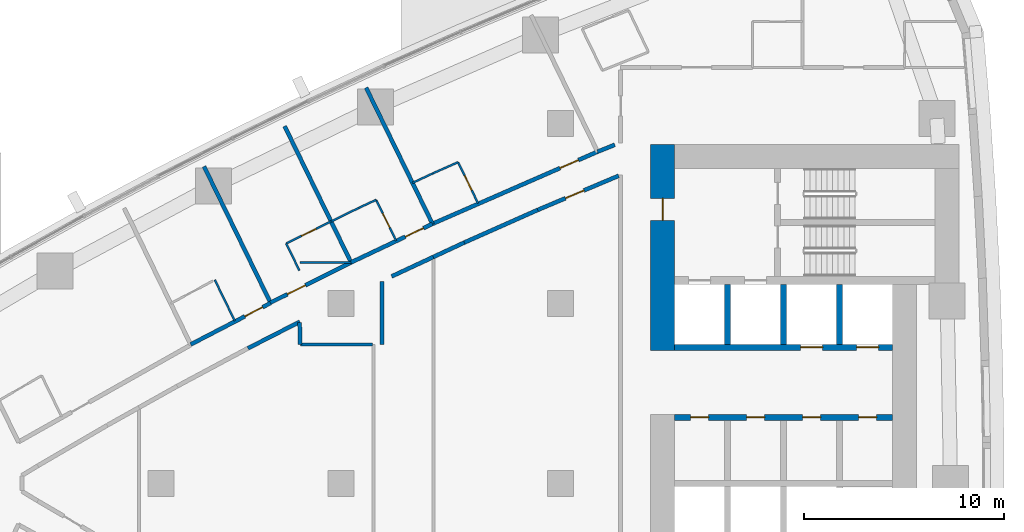
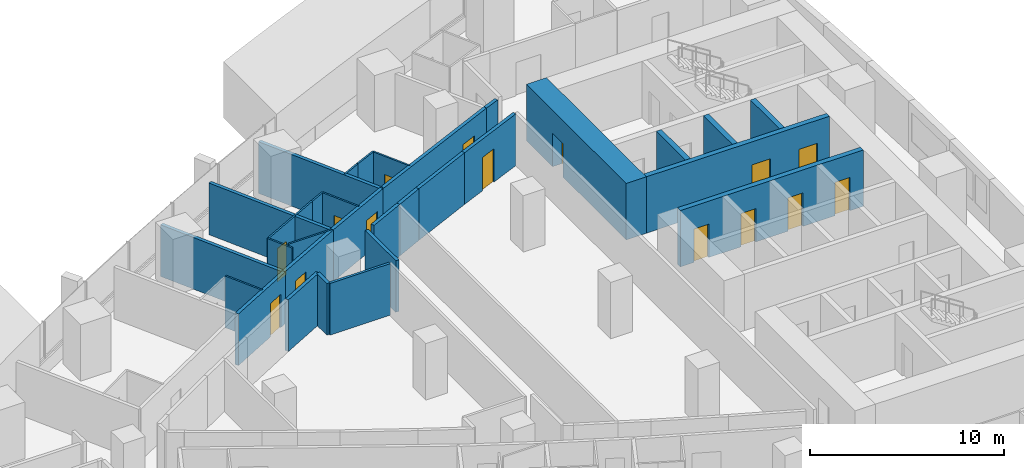
# One storey, part 12 of 19: 32 walls, 15 doors, 15 openings.
"""IFC4 building model written with IfcOpenShell, lengths in metres."""

from ifc_helpers import new_model, si_unit, direction, frame, frame_2d, origin, place, context, subcontext, project, spatial, rectangle, extrude, material, layer, layer_set, type_object, element, fill, save


model = new_model("IFC4")

# Units and contexts
model_context = context("Model", 3, precision=1e-05, world=origin(), true_north=direction((0.0, 1.0)))
body_context = subcontext(model_context, "Body", "Model", "MODEL_VIEW")
ifc_project = project(units=[si_unit("LENGTHUNIT", "METRE"), si_unit("AREAUNIT", "SQUARE_METRE"), si_unit("VOLUMEUNIT", "CUBIC_METRE"), si_unit("PLANEANGLEUNIT", "RADIAN"), si_unit("MASSUNIT", "GRAM", prefix="KILO")], contexts=[model_context])

# Site, building, storey
site_placement = place(None, origin())
site = spatial("IfcSite", under=ifc_project, at=site_placement, CompositionType="ELEMENT")
building_placement = place(site_placement, origin())
building = spatial("IfcBuilding", under=site, at=building_placement, Name="Ostrand Prow Hotel Tower", CompositionType="ELEMENT")
storey_placement = place(building_placement, frame((0.0, 0.0, 39.60009765625)))
storey = spatial("IfcBuildingStorey", under=building, at=storey_placement, Name="L07", CompositionType="ELEMENT", Elevation=39.60009765625)

# Wall, opening, door
ifc_material_1 = material(Name="Concrete C80/95", Category="concrete")
ifc_layer_1 = layer(ifc_material_1, 1.199951171875)
ifc_layer_set_1 = layer_set([ifc_layer_1], Name="Concrete C80/95")
wall_type_1 = type_object("IfcWallType", Name="Core wall 1200 C80/95", PredefinedType="SHEAR", material=ifc_layer_set_1)
wall_1_placement = place(storey_placement, frame((50.10009765625, 6.64990234375, 0.0), z_axis=(0.0, 0.0, 1.0), x_axis=(0.0, 1.0, 0.0)))
wall_1 = element("IfcWall", 1, at=wall_1_placement, inside=storey, type_object=wall_type_1, Name="Core wall CW-W-N", PredefinedType="SHEAR", context=body_context, shape_type="SweptSolid", body=[
    extrude(rectangle(XDim=10.300048828125, YDim=1.199951171875, at=frame_2d((5.14990234375, 0.0))), origin(), (0.0, 0.0, 1.0), 3.5498046875),
])
opening_1_placement = place(wall_1_placement, frame((6.5, 0.0, 0.0)))
opening_1 = element("IfcOpeningElement", 2, at=opening_1_placement, cuts=wall_1, Name="Opening FD1", PredefinedType="OPENING", context=body_context, shape_type="SweptSolid", body=[
    extrude(rectangle(XDim=1.10009765625, YDim=2.10009765625, at=frame_2d((0.550048828125, 1.050048828125))), frame((0.0, 0.60986328125, 0.0), z_axis=(0.0, -1.0, 0.0), x_axis=(1.0, 0.0, 0.0)), (0.0, 0.0, 1.0), 1.219970703125),
])
ifc_material_2 = material(Name="Steel fire door", Category="steel")
door_type_1 = type_object("IfcDoorType", Name="Fire door 1100 EI120", OperationType="SINGLE_SWING_RIGHT", PredefinedType="DOOR", material=ifc_material_2)
door_1_placement = place(opening_1_placement, origin())
door_1 = element("IfcDoor", 3, at=door_1_placement, inside=storey, type_object=door_type_1, Name="FIRE DOOR", OperationType="SINGLE_SWING_RIGHT", OverallHeight=2.10009765625, OverallWidth=1.10009765625, PredefinedType="DOOR", context=body_context, shape_type="SweptSolid", body=[
    extrude(rectangle(XDim=1.10009765625, YDim=2.10009765625, at=frame_2d((0.550048828125, 1.050048828125))), frame((0.0, 0.02490234375, 0.0), z_axis=(0.0, -1.0, 0.0), x_axis=(1.0, 0.0, 0.0)), (0.0, 0.0, 1.0), 0.050048828125),
])
fill(opening_1, door_1)

# Wall, openings, doors
ifc_material_3 = material(Name="Concrete C80/95", Category="concrete")
ifc_layer_2 = layer(ifc_material_3, 0.300048828125)
ifc_layer_set_2 = layer_set([ifc_layer_2], Name="Concrete C80/95")
wall_type_2 = type_object("IfcWallType", Name="Core wall 300 C80/95", PredefinedType="SHEAR", material=ifc_layer_set_2)
wall_2_placement = place(storey_placement, frame((50.699951171875, 3.300048828125, 0.0), z_axis=(0.0, 0.0, 1.0), x_axis=(1.0, 0.0, 0.0)))
wall_2 = element("IfcWall", 4, at=wall_2_placement, inside=storey, type_object=wall_type_2, Name="Core wall PW-L1-N", PredefinedType="SHEAR", context=body_context, shape_type="SweptSolid", body=[
    extrude(rectangle(XDim=10.900146484375, YDim=0.300048828125, at=frame_2d((5.4501953125, 0.0))), origin(), (0.0, 0.0, 1.0), 3.5498046875),
])
opening_2_placement = place(wall_2_placement, frame((0.800048828125, 0.0, 0.0)))
opening_2 = element("IfcOpeningElement", 5, at=opening_2_placement, cuts=wall_2, Name="Opening FD2", PredefinedType="OPENING", context=body_context, shape_type="SweptSolid", body=[
    extrude(rectangle(XDim=0.89990234375, YDim=2.10009765625, at=frame_2d((0.449951171875, 1.050048828125))), frame((0.0, 0.159912109375, 0.0), z_axis=(0.0, -1.0, 0.0), x_axis=(1.0, 0.0, 0.0)), (0.0, 0.0, 1.0), 0.320068359375),
])
opening_3_placement = place(wall_2_placement, frame((3.60009765625, 0.0, 0.0)))
opening_3 = element("IfcOpeningElement", 6, at=opening_3_placement, cuts=wall_2, Name="Opening FD2", PredefinedType="OPENING", context=body_context, shape_type="SweptSolid", body=[
    extrude(rectangle(XDim=0.89990234375, YDim=2.10009765625, at=frame_2d((0.449951171875, 1.050048828125))), frame((0.0, 0.159912109375, 0.0), z_axis=(0.0, -1.0, 0.0), x_axis=(1.0, 0.0, 0.0)), (0.0, 0.0, 1.0), 0.320068359375),
])
opening_4_placement = place(wall_2_placement, frame((6.39990234375, 0.0, 0.0)))
opening_4 = element("IfcOpeningElement", 7, at=opening_4_placement, cuts=wall_2, Name="Opening FD2", PredefinedType="OPENING", context=body_context, shape_type="SweptSolid", body=[
    extrude(rectangle(XDim=0.89990234375, YDim=2.10009765625, at=frame_2d((0.449951171875, 1.050048828125))), frame((0.0, 0.159912109375, 0.0), z_axis=(0.0, -1.0, 0.0), x_axis=(1.0, 0.0, 0.0)), (0.0, 0.0, 1.0), 0.320068359375),
])
opening_5_placement = place(wall_2_placement, frame((9.199951171875, 0.0, 0.0)))
opening_5 = element("IfcOpeningElement", 8, at=opening_5_placement, cuts=wall_2, Name="Opening FD2", PredefinedType="OPENING", context=body_context, shape_type="SweptSolid", body=[
    extrude(rectangle(XDim=0.89990234375, YDim=2.10009765625, at=frame_2d((0.449951171875, 1.050048828125))), frame((0.0, 0.159912109375, 0.0), z_axis=(0.0, -1.0, 0.0), x_axis=(1.0, 0.0, 0.0)), (0.0, 0.0, 1.0), 0.320068359375),
])
ifc_material_4 = material(Name="Steel fire door", Category="steel")
door_type_2 = type_object("IfcDoorType", Name="Fire door 900 EI120", OperationType="SINGLE_SWING_LEFT", PredefinedType="DOOR", material=ifc_material_4)
door_2_placement = place(opening_2_placement, origin())
door_2 = element("IfcDoor", 9, at=door_2_placement, inside=storey, type_object=door_type_2, Name="DOOR", OperationType="SINGLE_SWING_LEFT", OverallHeight=2.10009765625, OverallWidth=0.89990234375, PredefinedType="DOOR", context=body_context, shape_type="SweptSolid", body=[
    extrude(rectangle(XDim=0.89990234375, YDim=2.10009765625, at=frame_2d((0.449951171875, 1.050048828125))), frame((0.0, 0.02490234375, 0.0), z_axis=(0.0, -1.0, 0.0), x_axis=(1.0, 0.0, 0.0)), (0.0, 0.0, 1.0), 0.050048828125),
])
fill(opening_2, door_2)
door_3_placement = place(opening_3_placement, origin())
door_3 = element("IfcDoor", 10, at=door_3_placement, inside=storey, type_object=door_type_2, Name="DOOR", OperationType="SINGLE_SWING_LEFT", OverallHeight=2.10009765625, OverallWidth=0.89990234375, PredefinedType="DOOR", context=body_context, shape_type="SweptSolid", body=[
    extrude(rectangle(XDim=0.89990234375, YDim=2.10009765625, at=frame_2d((0.449951171875, 1.050048828125))), frame((0.0, 0.02490234375, 0.0), z_axis=(0.0, -1.0, 0.0), x_axis=(1.0, 0.0, 0.0)), (0.0, 0.0, 1.0), 0.050048828125),
])
fill(opening_3, door_3)
door_4_placement = place(opening_4_placement, origin())
door_4 = element("IfcDoor", 11, at=door_4_placement, inside=storey, type_object=door_type_2, Name="DOOR", OperationType="SINGLE_SWING_LEFT", OverallHeight=2.10009765625, OverallWidth=0.89990234375, PredefinedType="DOOR", context=body_context, shape_type="SweptSolid", body=[
    extrude(rectangle(XDim=0.89990234375, YDim=2.10009765625, at=frame_2d((0.449951171875, 1.050048828125))), frame((0.0, 0.02490234375, 0.0), z_axis=(0.0, -1.0, 0.0), x_axis=(1.0, 0.0, 0.0)), (0.0, 0.0, 1.0), 0.050048828125),
])
fill(opening_4, door_4)
door_5_placement = place(opening_5_placement, origin())
door_5 = element("IfcDoor", 12, at=door_5_placement, inside=storey, type_object=door_type_2, Name="DOOR", OperationType="SINGLE_SWING_LEFT", OverallHeight=2.10009765625, OverallWidth=0.89990234375, PredefinedType="DOOR", context=body_context, shape_type="SweptSolid", body=[
    extrude(rectangle(XDim=0.89990234375, YDim=2.10009765625, at=frame_2d((0.449951171875, 1.050048828125))), frame((0.0, 0.02490234375, 0.0), z_axis=(0.0, -1.0, 0.0), x_axis=(1.0, 0.0, 0.0)), (0.0, 0.0, 1.0), 0.050048828125),
])
fill(opening_5, door_5)

wall_3_placement = place(storey_placement, frame((50.699951171875, 6.800048828125, 0.0), z_axis=(0.0, 0.0, 1.0), x_axis=(1.0, 0.0, 0.0)))
wall_3 = element("IfcWall", 13, at=wall_3_placement, inside=storey, type_object=wall_type_2, Name="Core wall PW-L2-N", PredefinedType="SHEAR", context=body_context, shape_type="SweptSolid", body=[
    extrude(rectangle(XDim=10.900146484375, YDim=0.300048828125, at=frame_2d((5.4501953125, 0.0))), origin(), (0.0, 0.0, 1.0), 3.5498046875),
])
opening_6_placement = place(wall_3_placement, frame((6.300048828125, 0.0, 0.0)))
opening_6 = element("IfcOpeningElement", 14, at=opening_6_placement, cuts=wall_3, Name="Opening LD", PredefinedType="OPENING", context=body_context, shape_type="SweptSolid", body=[
    extrude(rectangle(XDim=1.10009765625, YDim=2.10009765625, at=frame_2d((0.550048828125, 1.050048828125))), frame((0.0, 0.159912109375, 0.0), z_axis=(0.0, -1.0, 0.0), x_axis=(1.0, 0.0, 0.0)), (0.0, 0.0, 1.0), 0.320068359375),
])
opening_7_placement = place(wall_3_placement, frame((9.10009765625, 0.0, 0.0)))
opening_7 = element("IfcOpeningElement", 15, at=opening_7_placement, cuts=wall_3, Name="Opening LD", PredefinedType="OPENING", context=body_context, shape_type="SweptSolid", body=[
    extrude(rectangle(XDim=1.10009765625, YDim=2.10009765625, at=frame_2d((0.550048828125, 1.050048828125))), frame((0.0, 0.159912109375, 0.0), z_axis=(0.0, -1.0, 0.0), x_axis=(1.0, 0.0, 0.0)), (0.0, 0.0, 1.0), 0.320068359375),
])
ifc_material_5 = material(Name="Stainless steel door", Category="steel")
door_type_3 = type_object("IfcDoorType", Name="Lift landing door 1100", OperationType="DOUBLE_DOOR_SLIDING", PredefinedType="DOOR", material=ifc_material_5)
door_6_placement = place(opening_6_placement, origin())
door_6 = element("IfcDoor", 16, at=door_6_placement, inside=storey, type_object=door_type_3, Name="LIFT LANDING DOOR", OperationType="DOUBLE_DOOR_SLIDING", OverallHeight=2.10009765625, OverallWidth=1.10009765625, PredefinedType="DOOR", context=body_context, shape_type="SweptSolid", body=[
    extrude(rectangle(XDim=1.10009765625, YDim=2.10009765625, at=frame_2d((0.550048828125, 1.050048828125))), frame((0.0, 0.02490234375, 0.0), z_axis=(0.0, -1.0, 0.0), x_axis=(1.0, 0.0, 0.0)), (0.0, 0.0, 1.0), 0.050048828125),
])
fill(opening_6, door_6)
door_7_placement = place(opening_7_placement, origin())
door_7 = element("IfcDoor", 17, at=door_7_placement, inside=storey, type_object=door_type_3, Name="LIFT LANDING DOOR", OperationType="DOUBLE_DOOR_SLIDING", OverallHeight=2.10009765625, OverallWidth=1.10009765625, PredefinedType="DOOR", context=body_context, shape_type="SweptSolid", body=[
    extrude(rectangle(XDim=1.10009765625, YDim=2.10009765625, at=frame_2d((0.550048828125, 1.050048828125))), frame((0.0, 0.02490234375, 0.0), z_axis=(0.0, -1.0, 0.0), x_axis=(1.0, 0.0, 0.0)), (0.0, 0.0, 1.0), 0.050048828125),
])
fill(opening_7, door_7)

# Walls
for number, where, z_axis, x_axis, name in (
    (18, (53.35009765625, 6.949951171875, 0.0), (0.0, 0.0, 1.0), (0.0, 1.0, 0.0), "Core wall PW-R1-NA"),
    (19, (56.14990234375, 6.949951171875, 0.0), (0.0, 0.0, 1.0), (0.0, 1.0, 0.0), "Core wall PW-R2-NA"),
    (20, (58.949951171875, 6.949951171875, 0.0), (0.0, 0.0, 1.0), (0.0, 1.0, 0.0), "Core wall PW-R3-NA"),
):
    element("IfcWall", number, at=place(storey_placement, frame(where, z_axis=z_axis, x_axis=x_axis)), inside=storey, type_object=wall_type_2, Name=name, PredefinedType="SHEAR", context=body_context, shape_type="SweptSolid", body=[
        extrude(rectangle(XDim=3.0, YDim=0.300048828125, at=frame_2d((1.5, 0.0))), origin(), (0.0, 0.0, 1.0), 3.5498046875),
    ])
ifc_material_6 = material(Name="Plasterboard partition")
ifc_layer_3 = layer(ifc_material_6, 0.10009765625)
ifc_layer_set_3 = layer_set([ifc_layer_3], Name="Plasterboard partition")
wall_type_3 = type_object("IfcWallType", Name="Partition 100 bathroom wall", PredefinedType="PARTITIONING", material=ifc_layer_set_3)
wall_4_placement = place(storey_placement, frame((27.697021484375, 10.177001953125, 0.0), z_axis=(0.0, 0.0, 1.0), x_axis=(0.438229314017, -0.898863208912, 0.0)))
element("IfcWall", 21, at=wall_4_placement, inside=storey, type_object=wall_type_3, Name="BATHROOM WALL", PredefinedType="PARTITIONING", context=body_context, shape_type="SweptSolid", body=[
    extrude(rectangle(XDim=2.27734375, YDim=0.10009765625, at=frame_2d((1.138671875, 0.0))), origin(), (0.0, 0.0, 1.0), 3.25),
])

# Wall, opening, door
wall_5_placement = place(storey_placement, frame((31.26708984375, 12.00341796875, 0.0), z_axis=(0.0, 0.0, 1.0), x_axis=(0.89845285455, 0.439070003702, 0.0)))
wall_5 = element("IfcWall", 22, at=wall_5_placement, inside=storey, type_object=wall_type_3, Name="BATHROOM WALL", PredefinedType="PARTITIONING", context=body_context, shape_type="SweptSolid", body=[
    extrude(rectangle(XDim=2.5, YDim=0.10009765625, at=frame_2d((1.25, 0.0))), origin(), (0.0, 0.0, 1.0), 3.25),
])
opening_8_placement = place(wall_5_placement, frame((0.85009765625, 0.0, 0.0)))
opening_8 = element("IfcOpeningElement", 23, at=opening_8_placement, cuts=wall_5, Name="Opening D2", PredefinedType="OPENING", context=body_context, shape_type="SweptSolid", body=[
    extrude(rectangle(XDim=0.800048828125, YDim=2.10009765625, at=frame_2d((0.39990234375, 1.050048828125))), frame((0.0, 0.06005859375, 0.0), z_axis=(0.0, -1.0, 0.0), x_axis=(1.0, 0.0, 0.0)), (0.0, 0.0, 1.0), 0.1201171875),
])
ifc_material_7 = material(Name="Timber door leaf", Category="wood")
door_type_4 = type_object("IfcDoorType", Name="Bathroom door 800", OperationType="SINGLE_SWING_LEFT", PredefinedType="DOOR", material=ifc_material_7)
door_8_placement = place(opening_8_placement, origin())
door_8 = element("IfcDoor", 24, at=door_8_placement, inside=storey, type_object=door_type_4, Name="DOOR", OperationType="SINGLE_SWING_LEFT", OverallHeight=2.10009765625, OverallWidth=0.800048828125, PredefinedType="DOOR", context=body_context, shape_type="SweptSolid", body=[
    extrude(rectangle(XDim=0.800048828125, YDim=2.10009765625, at=frame_2d((0.39990234375, 1.050048828125))), frame((0.0, 0.02490234375, 0.0), z_axis=(0.0, -1.0, 0.0), x_axis=(1.0, 0.0, 0.0)), (0.0, 0.0, 1.0), 0.050048828125),
])
fill(opening_8, door_8)

# Walls
wall_6_placement = place(storey_placement, frame((31.9287109375, 10.645751953125, 0.0), z_axis=(0.0, 0.0, 1.0), x_axis=(-0.438136931394, 0.898908243008, 0.0)))
element("IfcWall", 25, at=wall_6_placement, inside=storey, type_object=wall_type_3, Name="BATHROOM WALL", PredefinedType="PARTITIONING", context=body_context, shape_type="SweptSolid", body=[
    extrude(rectangle(XDim=1.510009765625, YDim=0.10009765625, at=frame_2d((0.7548828125, 0.0))), origin(), (0.0, 0.0, 1.0), 3.25),
])
wall_7_placement = place(storey_placement, frame((33.51318359375, 13.10107421875, 0.0), z_axis=(0.0, 0.0, 1.0), x_axis=(0.898338680123, 0.439303557685, 0.0)))
element("IfcWall", 26, at=wall_7_placement, inside=storey, type_object=wall_type_3, Name="BATHROOM WALL", PredefinedType="PARTITIONING", context=body_context, shape_type="SweptSolid", body=[
    extrude(rectangle(XDim=1.546630859375, YDim=0.10009765625, at=frame_2d((0.7734375, 0.0))), origin(), (0.0, 0.0, 1.0), 3.25),
])
wall_8_placement = place(storey_placement, frame((34.902587890625, 13.780517578125, 0.0), z_axis=(0.0, 0.0, 1.0), x_axis=(0.906477304063, 0.422254540791, 0.0)))
element("IfcWall", 27, at=wall_8_placement, inside=storey, type_object=wall_type_3, Name="BATHROOM WALL", PredefinedType="PARTITIONING", context=body_context, shape_type="SweptSolid", body=[
    extrude(rectangle(XDim=0.953369140625, YDim=0.10009765625, at=frame_2d((0.4765625, 0.0))), origin(), (0.0, 0.0, 1.0), 3.25),
])

# Wall, opening, door
wall_9_placement = place(storey_placement, frame((35.766845703125, 14.18310546875, 0.0), z_axis=(0.0, 0.0, 1.0), x_axis=(0.438229314017, -0.898863208912, 0.0)))
wall_9 = element("IfcWall", 28, at=wall_9_placement, inside=storey, type_object=wall_type_3, Name="BATHROOM WALL", PredefinedType="PARTITIONING", context=body_context, shape_type="SweptSolid", body=[
    extrude(rectangle(XDim=2.27734375, YDim=0.10009765625, at=frame_2d((1.138671875, 0.0))), origin(), (0.0, 0.0, 1.0), 3.25),
])
opening_9_placement = place(wall_9_placement, frame((0.75, 0.0, 0.0)))
opening_9 = element("IfcOpeningElement", 29, at=opening_9_placement, cuts=wall_9, Name="Opening D2", PredefinedType="OPENING", context=body_context, shape_type="SweptSolid", body=[
    extrude(rectangle(XDim=0.800048828125, YDim=2.10009765625, at=frame_2d((0.39990234375, 1.050048828125))), frame((0.0, 0.06005859375, 0.0), z_axis=(0.0, -1.0, 0.0), x_axis=(1.0, 0.0, 0.0)), (0.0, 0.0, 1.0), 0.1201171875),
])
door_9_placement = place(opening_9_placement, origin())
door_9 = element("IfcDoor", 30, at=door_9_placement, inside=storey, type_object=door_type_4, Name="DOOR", OperationType="SINGLE_SWING_LEFT", OverallHeight=2.10009765625, OverallWidth=0.800048828125, PredefinedType="DOOR", context=body_context, shape_type="SweptSolid", body=[
    extrude(rectangle(XDim=0.800048828125, YDim=2.10009765625, at=frame_2d((0.39990234375, 1.050048828125))), frame((0.0, 0.02490234375, 0.0), z_axis=(0.0, -1.0, 0.0), x_axis=(1.0, 0.0, 0.0)), (0.0, 0.0, 1.0), 0.050048828125),
])
fill(opening_9, door_9)

# Walls
wall_10_placement = place(storey_placement, frame((37.585693359375, 15.031005859375, 0.0), z_axis=(0.0, 0.0, 1.0), x_axis=(0.90632717857, 0.422576673972, 0.0)))
element("IfcWall", 31, at=wall_10_placement, inside=storey, type_object=wall_type_3, Name="BATHROOM WALL", PredefinedType="PARTITIONING", context=body_context, shape_type="SweptSolid", body=[
    extrude(rectangle(XDim=1.12548828125, YDim=0.10009765625, at=frame_2d((0.562744140625, 0.0))), origin(), (0.0, 0.0, 1.0), 3.25),
])
wall_11_placement = place(storey_placement, frame((38.605712890625, 15.506591796875, 0.0), z_axis=(0.0, 0.0, 1.0), x_axis=(0.913972512123, 0.405776104625, 0.0)))
element("IfcWall", 32, at=wall_11_placement, inside=storey, type_object=wall_type_3, Name="BATHROOM WALL", PredefinedType="PARTITIONING", context=body_context, shape_type="SweptSolid", body=[
    extrude(rectangle(XDim=1.37548828125, YDim=0.10009765625, at=frame_2d((0.687744140625, 0.0))), origin(), (0.0, 0.0, 1.0), 3.25),
])

# Wall, opening, door
wall_12_placement = place(storey_placement, frame((39.86279296875, 16.064697265625, 0.0), z_axis=(0.0, 0.0, 1.0), x_axis=(0.438233629628, -0.898861104878, 0.0)))
wall_12 = element("IfcWall", 33, at=wall_12_placement, inside=storey, type_object=wall_type_3, Name="BATHROOM WALL", PredefinedType="PARTITIONING", context=body_context, shape_type="SweptSolid", body=[
    extrude(rectangle(XDim=2.278564453125, YDim=0.10009765625, at=frame_2d((1.13916015625, 0.0))), origin(), (0.0, 0.0, 1.0), 3.25),
])
opening_10_placement = place(wall_12_placement, frame((0.75, 0.0, 0.0)))
opening_10 = element("IfcOpeningElement", 34, at=opening_10_placement, cuts=wall_12, Name="Opening D2", PredefinedType="OPENING", context=body_context, shape_type="SweptSolid", body=[
    extrude(rectangle(XDim=0.800048828125, YDim=2.10009765625, at=frame_2d((0.39990234375, 1.050048828125))), frame((0.0, 0.06005859375, 0.0), z_axis=(0.0, -1.0, 0.0), x_axis=(1.0, 0.0, 0.0)), (0.0, 0.0, 1.0), 0.1201171875),
])
door_10_placement = place(opening_10_placement, origin())
door_10 = element("IfcDoor", 35, at=door_10_placement, inside=storey, type_object=door_type_4, Name="DOOR", OperationType="SINGLE_SWING_LEFT", OverallHeight=2.10009765625, OverallWidth=0.800048828125, PredefinedType="DOOR", context=body_context, shape_type="SweptSolid", body=[
    extrude(rectangle(XDim=0.800048828125, YDim=2.10009765625, at=frame_2d((0.39990234375, 1.050048828125))), frame((0.0, 0.02490234375, 0.0), z_axis=(0.0, -1.0, 0.0), x_axis=(1.0, 0.0, 0.0)), (0.0, 0.0, 1.0), 0.050048828125),
])
fill(opening_10, door_10)

# Walls
wall_13_placement = place(storey_placement, frame((34.510498046875, 11.054931640625, 0.0), z_axis=(0.0, 0.0, 1.0), x_axis=(-1.0, 0.0, 0.0)))
element("IfcWall", 36, at=wall_13_placement, inside=storey, type_object=wall_type_3, Name="BATHROOM WALL", PredefinedType="PARTITIONING", context=body_context, shape_type="SweptSolid", body=[
    extrude(rectangle(XDim=2.5615234375, YDim=0.10009765625, at=frame_2d((1.28076171875, 0.0))), origin(), (0.0, 0.0, 1.0), 3.25),
])
ifc_material_8 = material(Name="Plasterboard partition")
ifc_layer_4 = layer(ifc_material_8, 0.14990234375)
ifc_layer_set_4 = layer_set([ifc_layer_4], Name="Plasterboard partition")
wall_type_4 = type_object("IfcWallType", Name="Partition 150 room partition", PredefinedType="PARTITIONING", material=ifc_layer_set_4)
wall_14_placement = place(storey_placement, frame((31.988525390625, 6.9453125, 0.0), z_axis=(0.0, 0.0, 1.0), x_axis=(0.999999997697, -6.786102e-05, 0.0)))
element("IfcWall", 37, at=wall_14_placement, inside=storey, type_object=wall_type_4, Name="ROOM PARTITION", PredefinedType="PARTITIONING", context=body_context, shape_type="SweptSolid", body=[
    extrude(rectangle(XDim=3.59765625, YDim=0.14990234375, at=frame_2d((1.798828125, 0.0))), origin(), (0.0, 0.0, 1.0), 3.25),
])

# Wall, opening, door
ifc_material_9 = material(Name="Plasterboard partition")
ifc_layer_5 = layer(ifc_material_9, 0.199951171875)
ifc_layer_set_5 = layer_set([ifc_layer_5], Name="Plasterboard partition")
wall_type_5 = type_object("IfcWallType", Name="Partition 200 corridor wall", PredefinedType="PARTITIONING", material=ifc_layer_set_5)
wall_15_placement = place(storey_placement, frame((26.490234375, 6.947509765625, 0.0), z_axis=(0.0, 0.0, 1.0), x_axis=(0.887638836985, 0.460540220911, 0.0)))
wall_15 = element("IfcWall", 38, at=wall_15_placement, inside=storey, type_object=wall_type_5, Name="CORRIDOR WALL", PredefinedType="PARTITIONING", context=body_context, shape_type="SweptSolid", body=[
    extrude(rectangle(XDim=4.50439453125, YDim=0.199951171875, at=frame_2d((2.252197265625, 0.0))), origin(), (0.0, 0.0, 1.0), 3.25),
])
opening_11_placement = place(wall_15_placement, frame((3.050048828125, 0.0, 0.0)))
opening_11 = element("IfcOpeningElement", 39, at=opening_11_placement, cuts=wall_15, Name="Opening D1R", PredefinedType="OPENING", context=body_context, shape_type="SweptSolid", body=[
    extrude(rectangle(XDim=1.0, YDim=2.10009765625, at=frame_2d((0.5, 1.050048828125))), frame((0.0, 0.10986328125, 0.0), z_axis=(0.0, -1.0, 0.0), x_axis=(1.0, 0.0, 0.0)), (0.0, 0.0, 1.0), 0.219970703125),
])
ifc_material_10 = material(Name="Timber door leaf", Category="wood")
door_type_5 = type_object("IfcDoorType", Name="Guest room door 1000 right", OperationType="SINGLE_SWING_RIGHT", PredefinedType="DOOR", material=ifc_material_10)
door_11_placement = place(opening_11_placement, origin())
door_11 = element("IfcDoor", 40, at=door_11_placement, inside=storey, type_object=door_type_5, Name="DOOR", OperationType="SINGLE_SWING_RIGHT", OverallHeight=2.10009765625, OverallWidth=1.0, PredefinedType="DOOR", context=body_context, shape_type="SweptSolid", body=[
    extrude(rectangle(XDim=1.0, YDim=2.10009765625, at=frame_2d((0.5, 1.050048828125))), frame((0.0, 0.02490234375, 0.0), z_axis=(0.0, -1.0, 0.0), x_axis=(1.0, 0.0, 0.0)), (0.0, 0.0, 1.0), 0.050048828125),
])
fill(opening_11, door_11)

wall_16_placement = place(storey_placement, frame((30.479736328125, 9.039794921875, 0.0), z_axis=(0.0, 0.0, 1.0), x_axis=(0.894989913054, 0.446086376761, 0.0)))
wall_16 = element("IfcWall", 41, at=wall_16_placement, inside=storey, type_object=wall_type_5, Name="CORRIDOR WALL", PredefinedType="PARTITIONING", context=body_context, shape_type="SweptSolid", body=[
    extrude(rectangle(XDim=4.50634765625, YDim=0.199951171875, at=frame_2d((2.253173828125, 0.0))), origin(), (0.0, 0.0, 1.0), 3.25),
])
opening_12_placement = place(wall_16_placement, frame((0.949951171875, 0.0, 0.0)))
opening_12 = element("IfcOpeningElement", 42, at=opening_12_placement, cuts=wall_16, Name="Opening D1R", PredefinedType="OPENING", context=body_context, shape_type="SweptSolid", body=[
    extrude(rectangle(XDim=1.0, YDim=2.10009765625, at=frame_2d((0.5, 1.050048828125))), frame((0.0, 0.10986328125, 0.0), z_axis=(0.0, -1.0, 0.0), x_axis=(1.0, 0.0, 0.0)), (0.0, 0.0, 1.0), 0.219970703125),
])
door_12_placement = place(opening_12_placement, origin())
door_12 = element("IfcDoor", 43, at=door_12_placement, inside=storey, type_object=door_type_5, Name="DOOR", OperationType="SINGLE_SWING_RIGHT", OverallHeight=2.10009765625, OverallWidth=1.0, PredefinedType="DOOR", context=body_context, shape_type="SweptSolid", body=[
    extrude(rectangle(XDim=1.0, YDim=2.10009765625, at=frame_2d((0.5, 1.050048828125))), frame((0.0, 0.02490234375, 0.0), z_axis=(0.0, -1.0, 0.0), x_axis=(1.0, 0.0, 0.0)), (0.0, 0.0, 1.0), 0.050048828125),
])
fill(opening_12, door_12)

wall_17_placement = place(storey_placement, frame((38.584716796875, 12.981201171875, 0.0), z_axis=(0.0, 0.0, 1.0), x_axis=(-0.903706948966, -0.428151550727, 0.0)))
wall_17 = element("IfcWall", 44, at=wall_17_placement, inside=storey, type_object=wall_type_5, Name="CORRIDOR WALL", PredefinedType="PARTITIONING", context=body_context, shape_type="SweptSolid", body=[
    extrude(rectangle(XDim=4.50634765625, YDim=0.199951171875, at=frame_2d((2.253173828125, 0.0))), origin(), (0.0, 0.0, 1.0), 3.25),
])
opening_13_placement = place(wall_17_placement, frame((0.5, 0.0, 0.0)))
opening_13 = element("IfcOpeningElement", 45, at=opening_13_placement, cuts=wall_17, Name="Opening D1R", PredefinedType="OPENING", context=body_context, shape_type="SweptSolid", body=[
    extrude(rectangle(XDim=1.0, YDim=2.10009765625, at=frame_2d((0.5, 1.050048828125))), frame((0.0, 0.10986328125, 0.0), z_axis=(0.0, -1.0, 0.0), x_axis=(1.0, 0.0, 0.0)), (0.0, 0.0, 1.0), 0.219970703125),
])
door_13_placement = place(opening_13_placement, origin())
door_13 = element("IfcDoor", 46, at=door_13_placement, inside=storey, type_object=door_type_5, Name="DOOR", OperationType="SINGLE_SWING_RIGHT", OverallHeight=2.10009765625, OverallWidth=1.0, PredefinedType="DOOR", context=body_context, shape_type="SweptSolid", body=[
    extrude(rectangle(XDim=1.0, YDim=2.10009765625, at=frame_2d((0.5, 1.050048828125))), frame((0.0, 0.02490234375, 0.0), z_axis=(0.0, -1.0, 0.0), x_axis=(1.0, 0.0, 0.0)), (0.0, 0.0, 1.0), 0.050048828125),
])
fill(opening_13, door_13)

wall_18_placement = place(storey_placement, frame((46.843505859375, 16.5908203125, 0.0), z_axis=(0.0, 0.0, 1.0), x_axis=(-0.916303988169, -0.400483459415, 0.0)))
wall_18 = element("IfcWall", 47, at=wall_18_placement, inside=storey, type_object=wall_type_5, Name="CORRIDOR WALL", PredefinedType="PARTITIONING", context=body_context, shape_type="SweptSolid", body=[
    extrude(rectangle(XDim=9.01318359375, YDim=0.199951171875, at=frame_2d((4.506591796875, 0.0))), origin(), (0.0, 0.0, 1.0), 3.25),
])
opening_14_placement = place(wall_18_placement, frame((1.050048828125, 0.0, 0.0)))
opening_14 = element("IfcOpeningElement", 48, at=opening_14_placement, cuts=wall_18, Name="Opening D1R", PredefinedType="OPENING", context=body_context, shape_type="SweptSolid", body=[
    extrude(rectangle(XDim=1.0, YDim=2.10009765625, at=frame_2d((0.5, 1.050048828125))), frame((0.0, 0.10986328125, 0.0), z_axis=(0.0, -1.0, 0.0), x_axis=(1.0, 0.0, 0.0)), (0.0, 0.0, 1.0), 0.219970703125),
])
door_14_placement = place(opening_14_placement, origin())
door_14 = element("IfcDoor", 49, at=door_14_placement, inside=storey, type_object=door_type_5, Name="DOOR", OperationType="SINGLE_SWING_RIGHT", OverallHeight=2.10009765625, OverallWidth=1.0, PredefinedType="DOOR", context=body_context, shape_type="SweptSolid", body=[
    extrude(rectangle(XDim=1.0, YDim=2.10009765625, at=frame_2d((0.5, 1.050048828125))), frame((0.0, 0.02490234375, 0.0), z_axis=(0.0, -1.0, 0.0), x_axis=(1.0, 0.0, 0.0)), (0.0, 0.0, 1.0), 0.050048828125),
])
fill(opening_14, door_14)

# Walls
wall_19_placement = place(storey_placement, frame((29.357421875, 6.758056640625, 0.0), z_axis=(0.0, 0.0, 1.0), x_axis=(0.890213377055, 0.455543788579, 0.0)))
element("IfcWall", 50, at=wall_19_placement, inside=storey, type_object=wall_type_5, Name="CORRIDOR WALL", PredefinedType="PARTITIONING", context=body_context, shape_type="SweptSolid", body=[
    extrude(rectangle(XDim=2.912353515625, YDim=0.199951171875, at=frame_2d((1.4560546875, 0.0))), origin(), (0.0, 0.0, 1.0), 3.25),
])
wall_20_placement = place(storey_placement, frame((36.5400390625, 10.35107421875, 0.0), z_axis=(0.0, 0.0, 1.0), x_axis=(0.906372737018, 0.422478948103, 0.0)))
element("IfcWall", 51, at=wall_20_placement, inside=storey, type_object=wall_type_5, Name="CORRIDOR WALL", PredefinedType="PARTITIONING", context=body_context, shape_type="SweptSolid", body=[
    extrude(rectangle(XDim=2.3017578125, YDim=0.199951171875, at=frame_2d((1.15087890625, 0.0))), origin(), (0.0, 0.0, 1.0), 3.25),
])

# Wall, opening, door
wall_21_placement = place(storey_placement, frame((43.85009765625, 13.67724609375, 0.0), z_axis=(0.0, 0.0, 1.0), x_axis=(0.921265924084, 0.388933281068, 0.0)))
wall_21 = element("IfcWall", 52, at=wall_21_placement, inside=storey, type_object=wall_type_5, Name="CORRIDOR WALL", PredefinedType="PARTITIONING", context=body_context, shape_type="SweptSolid", body=[
    extrude(rectangle(XDim=4.39599609375, YDim=0.199951171875, at=frame_2d((2.197998046875, 0.0))), origin(), (0.0, 0.0, 1.0), 3.25),
])
opening_15_placement = place(wall_21_placement, frame((1.5078125, 0.0, 0.0)))
opening_15 = element("IfcOpeningElement", 53, at=opening_15_placement, cuts=wall_21, Name="Opening D1", PredefinedType="OPENING", context=body_context, shape_type="SweptSolid", body=[
    extrude(rectangle(XDim=1.0, YDim=2.10009765625, at=frame_2d((0.5, 1.050048828125))), frame((0.0, 0.10986328125, 0.0), z_axis=(0.0, -1.0, 0.0), x_axis=(1.0, 0.0, 0.0)), (0.0, 0.0, 1.0), 0.219970703125),
])
ifc_material_11 = material(Name="Timber door leaf", Category="wood")
door_type_6 = type_object("IfcDoorType", Name="Guest room door 1000", OperationType="SINGLE_SWING_LEFT", PredefinedType="DOOR", material=ifc_material_11)
door_15_placement = place(opening_15_placement, origin())
door_15 = element("IfcDoor", 54, at=door_15_placement, inside=storey, type_object=door_type_6, Name="DOOR", OperationType="SINGLE_SWING_LEFT", OverallHeight=2.10009765625, OverallWidth=1.0, PredefinedType="DOOR", context=body_context, shape_type="SweptSolid", body=[
    extrude(rectangle(XDim=1.0, YDim=2.10009765625, at=frame_2d((0.5, 1.050048828125))), frame((0.0, 0.02490234375, 0.0), z_axis=(0.0, -1.0, 0.0), x_axis=(1.0, 0.0, 0.0)), (0.0, 0.0, 1.0), 0.050048828125),
])
fill(opening_15, door_15)

# Walls
wall_22_placement = place(storey_placement, frame((40.1796875, 12.0478515625, 0.0), z_axis=(0.0, 0.0, 1.0), x_axis=(0.913986953061, 0.405743576209, 0.0)))
element("IfcWall", 55, at=wall_22_placement, inside=storey, type_object=wall_type_5, Name="CORRIDOR WALL", PredefinedType="PARTITIONING", context=body_context, shape_type="SweptSolid", body=[
    extrude(rectangle(XDim=4.015869140625, YDim=0.199951171875, at=frame_2d((2.0078125, 0.0))), origin(), (0.0, 0.0, 1.0), 3.25),
])
wall_23_placement = place(storey_placement, frame((38.626220703125, 11.323486328125, 0.0), z_axis=(0.0, 0.0, 1.0), x_axis=(0.906314095157, 0.422604733668, 0.0)))
element("IfcWall", 56, at=wall_23_placement, inside=storey, type_object=wall_type_5, Name="CORRIDOR WALL", PredefinedType="PARTITIONING", context=body_context, shape_type="SweptSolid", body=[
    extrude(rectangle(XDim=1.714111328125, YDim=0.199951171875, at=frame_2d((0.85693359375, 0.0))), origin(), (0.0, 0.0, 1.0), 3.25),
])
wall_24_placement = place(storey_placement, frame((47.703857421875, 16.936279296875, 0.0), z_axis=(0.0, 0.0, 1.0), x_axis=(-0.927985537407, -0.372616213232, 0.0)))
element("IfcWall", 57, at=wall_24_placement, inside=storey, type_object=wall_type_5, Name="CORRIDOR WALL", PredefinedType="PARTITIONING", context=body_context, shape_type="SweptSolid", body=[
    extrude(rectangle(XDim=0.927001953125, YDim=0.199951171875, at=frame_2d((0.46337890625, 0.0))), origin(), (0.0, 0.0, 1.0), 3.25),
])
wall_25_placement = place(storey_placement, frame((31.945068359375, 8.037353515625, 0.0), z_axis=(0.0, 0.0, 1.0), x_axis=(0.003129875123, -0.999995101929, 0.0)))
element("IfcWall", 58, at=wall_25_placement, inside=storey, type_object=wall_type_5, Name="CORRIDOR WALL", PredefinedType="PARTITIONING", context=body_context, shape_type="SweptSolid", body=[
    extrude(rectangle(XDim=1.092041015625, YDim=0.199951171875, at=frame_2d((0.5458984375, 0.0))), origin(), (0.0, 0.0, 1.0), 3.25),
])
wall_26_placement = place(storey_placement, frame((36.054931640625, 6.949462890625, 0.0), z_axis=(0.0, 0.0, 1.0), x_axis=(0.0, 1.0, 0.0)))
element("IfcWall", 59, at=wall_26_placement, inside=storey, type_object=wall_type_5, Name="CORRIDOR WALL", PredefinedType="PARTITIONING", context=body_context, shape_type="SweptSolid", body=[
    extrude(rectangle(XDim=3.158935546875, YDim=0.199951171875, at=frame_2d((1.57958984375, 0.0))), origin(), (0.0, 0.0, 1.0), 3.25),
])
ifc_material_12 = material(Name="Plasterboard partition")
ifc_layer_6 = layer(ifc_material_12, 0.199951171875)
ifc_layer_set_6 = layer_set([ifc_layer_6], Name="Plasterboard partition")
wall_type_6 = type_object("IfcWallType", Name="Partition 200 key partition", PredefinedType="PARTITIONING", material=ifc_layer_set_6)
wall_27_placement = place(storey_placement, frame((30.488525390625, 9.02197265625, 0.0), z_axis=(0.0, 0.0, 1.0), x_axis=(-0.43822365664, 0.898865967072, 0.0)))
element("IfcWall", 60, at=wall_27_placement, inside=storey, type_object=wall_type_6, Name="KEY PARTITION", PredefinedType="PARTITIONING", context=body_context, shape_type="SweptSolid", body=[
    extrude(rectangle(XDim=7.601318359375, YDim=0.199951171875, at=frame_2d((3.80078125, 0.0))), origin(), (0.0, 0.0, 1.0), 3.25),
])
wall_28_placement = place(storey_placement, frame((34.512939453125, 11.050048828125, 0.0), z_axis=(0.0, 0.0, 1.0), x_axis=(-0.438187612283, 0.898883538865, 0.0)))
element("IfcWall", 61, at=wall_28_placement, inside=storey, type_object=wall_type_6, Name="KEY PARTITION", PredefinedType="PARTITIONING", context=body_context, shape_type="SweptSolid", body=[
    extrude(rectangle(XDim=7.581787109375, YDim=0.199951171875, at=frame_2d((3.791015625, 0.0))), origin(), (0.0, 0.0, 1.0), 3.25),
])
wall_29_placement = place(storey_placement, frame((38.593505859375, 12.96337890625, 0.0), z_axis=(0.0, 0.0, 1.0), x_axis=(-0.438197705697, 0.898878618459, 0.0)))
element("IfcWall", 62, at=wall_29_placement, inside=storey, type_object=wall_type_6, Name="KEY PARTITION", PredefinedType="PARTITIONING", context=body_context, shape_type="SweptSolid", body=[
    extrude(rectangle(XDim=7.60107421875, YDim=0.199951171875, at=frame_2d((3.800537109375, 0.0))), origin(), (0.0, 0.0, 1.0), 3.25),
])

save(model, "model.ifc")
